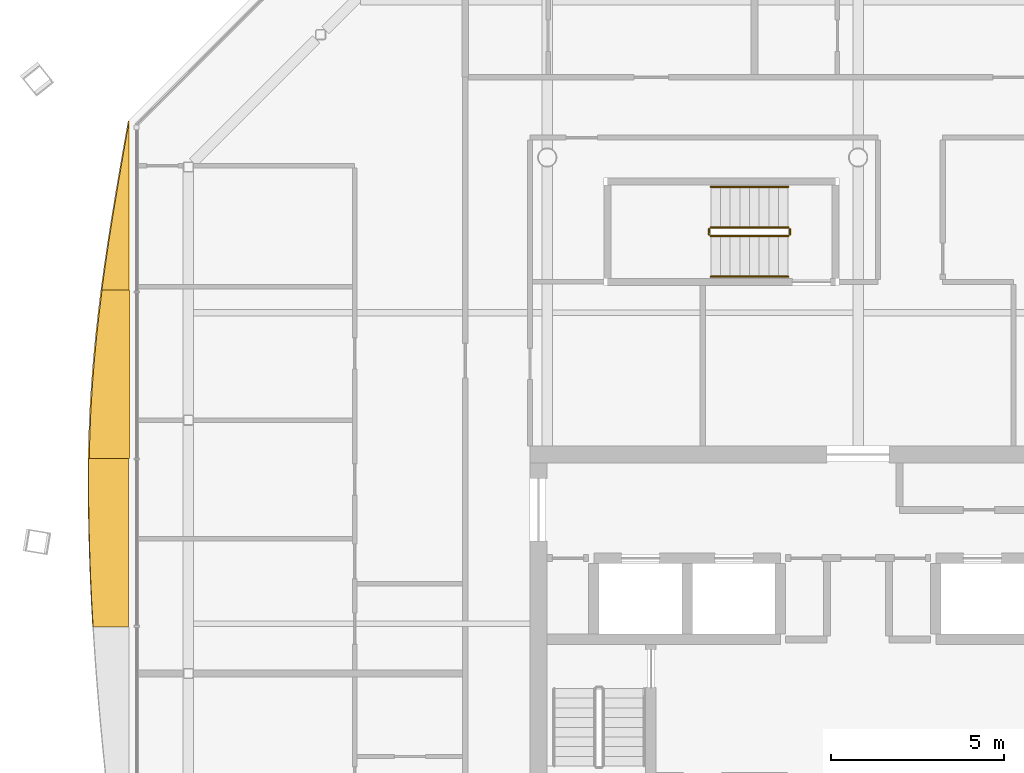
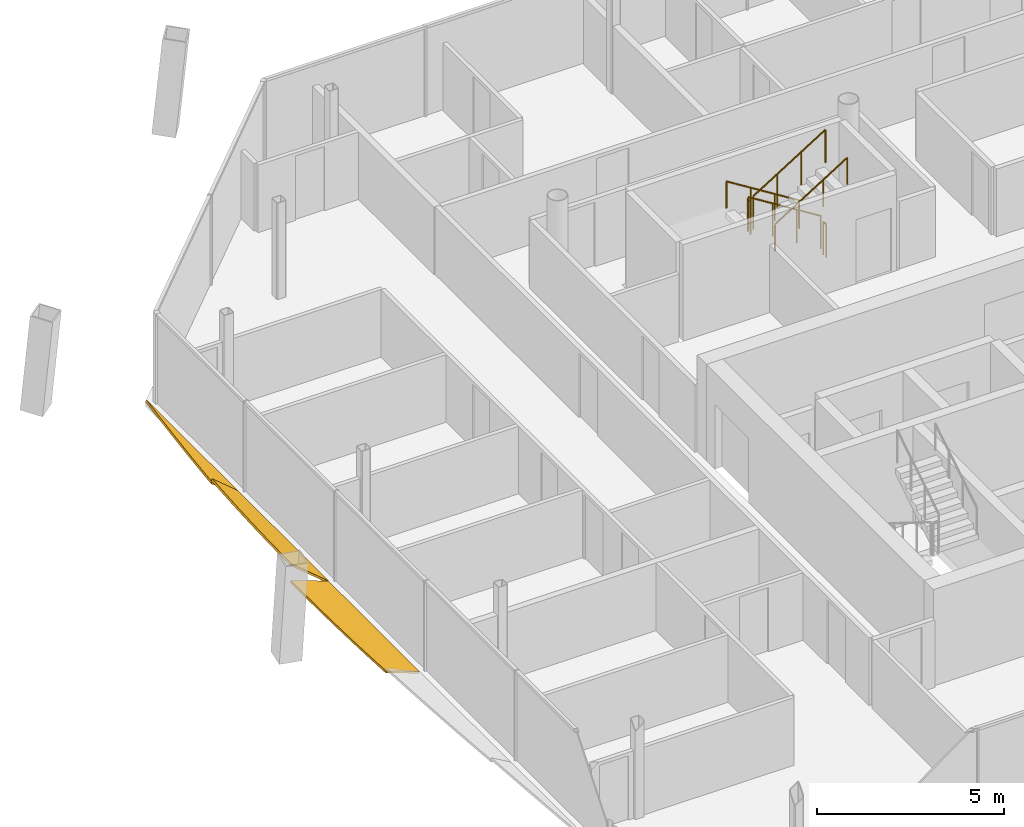
# One storey, part 14 of 15: 6 railings, 3 shading devices.
"""IFC4 building model written with IfcOpenShell, lengths in metres."""

from ifc_helpers import new_model, si_unit, direction, frame, origin, origin_2d, place, context, subcontext, project, spatial, polyline, circle, outline, extrude, material, layer, layer_set, type_object, element, save


model = new_model("IFC4")

# Units and contexts
model_context = context("Model", 3, precision=1e-05, world=origin(), true_north=direction((0.0, 1.0)))
body_context = subcontext(model_context, "Body", "Model", "MODEL_VIEW")
ifc_project = project(units=[si_unit("LENGTHUNIT", "METRE"), si_unit("AREAUNIT", "SQUARE_METRE"), si_unit("VOLUMEUNIT", "CUBIC_METRE"), si_unit("PLANEANGLEUNIT", "RADIAN"), si_unit("MASSUNIT", "GRAM", prefix="KILO")], contexts=[model_context])

# Site, building, storey
site_placement = place(None, origin())
site = spatial("IfcSite", under=ifc_project, at=site_placement, CompositionType="ELEMENT")
building_placement = place(site_placement, origin())
building = spatial("IfcBuilding", under=site, at=building_placement, Name="Tskaro Facet Tower", CompositionType="ELEMENT")
storey_placement = place(building_placement, frame((0.0, 0.0, 239.25)))
storey = spatial("IfcBuildingStorey", under=building, at=storey_placement, Name="L62", CompositionType="ELEMENT", Elevation=239.25)

# Shading devices
ifc_material_1 = material(Name="Bronze anodised aluminium 6063-T6", Category="aluminium")
ifc_layer = layer(ifc_material_1, 0.06005859375, Name="Bronze anodised aluminium 6063-T6")
ifc_layer_set = layer_set([ifc_layer], Name="Bronze anodised aluminium 6063-T6")
shading_device_type = type_object("IfcShadingDeviceType", Name="Bronze sun blade (FN1)", PredefinedType="USERDEFINED", material=ifc_layer_set)
shading_device_1_placement = place(storey_placement, frame((-21.1044921875, 10.052001953125, 0.049072265625), z_axis=(0.573587927627, -5.750204e-06, 0.819143997871), x_axis=(-3.298248e-06, -0.999999999983, -4.710245e-06)))
element("IfcShadingDevice", 1, at=shading_device_1_placement, inside=storey, type_object=shading_device_type, Name="Fin blade west 1", ObjectType="FIN", PredefinedType="USERDEFINED", context=body_context, shape_type="SweptSolid", body=[
    extrude(outline(polyline([(0.0, 0.0), (4.881835937419292, 0.0), (4.881835937575743, -0.9602774233229365), (4.184326171515095, -0.8443929185636418), (3.487060547105738, -0.7185479982297734), (2.789550781834564, -0.5849827833054644), (2.0922851559173847, -0.44471734111897665), (1.3947753906357023, -0.29923166186625216), (0.6975097651711523, -0.15056588020381548), (0.0, 0.0)])), origin(), (0.0, 0.0, -1.0), 0.06005859375),
])
shading_device_2_placement = place(storey_placement, frame((-21.100341796875, 5.170166015625, 0.0458984375), z_axis=(0.642819158538, 1.446481e-06, 0.766017969381), x_axis=(9.29826e-07, -0.999999999999, 1.10803e-06)))
element("IfcShadingDevice", 2, at=shading_device_2_placement, inside=storey, type_object=shading_device_type, Name="Fin blade west 2", ObjectType="FIN", PredefinedType="USERDEFINED", context=body_context, shape_type="SweptSolid", body=[
    extrude(outline(polyline([(0.0, 0.0), (4.881835937494893, 5.168844852690732e-22), (4.881835937542028, -1.5104128296894737), (4.1843261719349485, -1.488750253040387), (3.4870605468111187, -1.4501136005828363), (2.7895507812780678, -1.3953477193418165), (2.092285156358789, -1.3246396254231332), (1.394775390436278, -1.2390512597922665), (0.697265624990589, -1.1393973916395326), (5.2710519599643505e-11, -1.0269269780362171), (0.0, 0.0)])), origin(), (0.0, 0.0, -1.0), 0.06005859375),
])
shading_device_3_placement = place(storey_placement, frame((-21.118408203125, 0.288330078125, 0.056396484375), z_axis=(0.342007104844, -1.09675e-05, 0.939697366239), x_axis=(-3.750963e-06, -0.99999999994, -1.0306131e-05)))
element("IfcShadingDevice", 3, at=shading_device_3_placement, inside=storey, type_object=shading_device_type, Name="Fin blade west 3", ObjectType="FIN", PredefinedType="USERDEFINED", context=body_context, shape_type="SweptSolid", body=[
    extrude(outline(polyline([(0.0, 0.0), (4.881835937206391, 0.0), (4.881835937831738, -1.093769725770351), (4.184326171002729, -1.1348606915801138), (3.486816406441112, -1.1693812215485615), (2.7895507820245844, -1.1966430607687397), (2.0920410149027933, -1.2169591253713032), (1.394775390442236, -1.229933001397261), (0.6972656255614182, -1.2351058522419767), (0.5368652333456825, -1.235418768372631), (-5.523563515686595e-10, -1.231247088565524), (0.0, 0.0)])), origin(), (0.0, 0.0, -1.0), 0.06005859375),
])

# Railings
ifc_material_2 = material(Name="Stainless steel", Category="steel")
railing_type_1 = type_object("IfcRailingType", Name="RL-GUARD-1100", PredefinedType="GUARDRAIL", material=ifc_material_2)
railing_1_placement = place(storey_placement, frame((-2.02490234375, 6.97509765625, 0.175048828125)))
element("IfcRailing", 4, at=railing_1_placement, inside=storey, type_object=railing_type_1, Name="L62 ST-3 stair guard 1", PredefinedType="GUARDRAIL", context=body_context, shape_type="SweptSolid", body=[
    extrude(circle(Radius=0.02392578125, at=origin_2d()), frame((0.0, 0.0, 1.076171875), z_axis=(-0.848013881152, 0.0, 0.529974015752), x_axis=(0.0, -1.0, 0.0)), (0.0, 0.0, 1.0), 2.641357421875),
    extrude(circle(Radius=0.02099609375, at=origin_2d()), origin(), (0.0, 0.0, 1.0), 1.052001953125),
    extrude(circle(Radius=0.02099609375, at=origin_2d()), frame((-0.74658203125, 0.0, 0.466552734375)), (0.0, 0.0, 1.0), 1.052001953125),
    extrude(circle(Radius=0.02099609375, at=origin_2d()), frame((-1.493408203125, 0.0, 0.933349609375)), (0.0, 0.0, 1.0), 1.052001953125),
    extrude(circle(Radius=0.02099609375, at=origin_2d()), frame((-2.239990234375, 0.0, 1.39990234375)), (0.0, 0.0, 1.0), 1.052001953125),
])
railing_2_placement = place(storey_placement, frame((-4.31494140625, 6.925048828125, 1.574951171875)))
element("IfcRailing", 5, at=railing_2_placement, inside=storey, type_object=railing_type_1, Name="L62 ST-3 stair guard 2", PredefinedType="GUARDRAIL", context=body_context, shape_type="SweptSolid", body=[
    extrude(circle(Radius=0.02392578125, at=origin_2d()), frame((0.0, 0.0, 1.076171875), z_axis=(0.0, -1.0, 0.0), x_axis=(1.0, 0.0, 0.0)), (0.0, 0.0, 1.0), 0.150146484375),
    extrude(circle(Radius=0.02099609375, at=origin_2d()), origin(), (0.0, 0.0, 1.0), 1.052001953125),
    extrude(circle(Radius=0.02099609375, at=origin_2d()), frame((0.0, -0.150146484375, 0.0)), (0.0, 0.0, 1.0), 1.052001953125),
])
railing_3_placement = place(storey_placement, frame((-4.264892578125, 6.72509765625, 1.75)))
element("IfcRailing", 6, at=railing_3_placement, inside=storey, type_object=railing_type_1, Name="L62 ST-3 stair guard 3", PredefinedType="GUARDRAIL", context=body_context, shape_type="SweptSolid", body=[
    extrude(circle(Radius=0.02392578125, at=origin_2d()), frame((0.0, 0.0, 1.076171875), z_axis=(0.848013881152, 0.0, 0.529974015752), x_axis=(0.0, 1.0, 0.0)), (0.0, 0.0, 1.0), 2.641357421875),
    extrude(circle(Radius=0.02099609375, at=origin_2d()), origin(), (0.0, 0.0, 1.0), 1.052001953125),
    extrude(circle(Radius=0.02099609375, at=origin_2d()), frame((0.74658203125, 0.0, 0.466552734375)), (0.0, 0.0, 1.0), 1.052001953125),
    extrude(circle(Radius=0.02099609375, at=origin_2d()), frame((1.493408203125, 0.0, 0.933349609375)), (0.0, 0.0, 1.0), 1.052001953125),
    extrude(circle(Radius=0.02099609375, at=origin_2d()), frame((2.239990234375, 0.0, 1.39990234375)), (0.0, 0.0, 1.0), 1.052001953125),
])
railing_4_placement = place(storey_placement, frame((-1.97509765625, 6.925048828125, 0.0)))
element("IfcRailing", 7, at=railing_4_placement, inside=storey, type_object=railing_type_1, Name="L62 ST-3 stair guard 4", PredefinedType="GUARDRAIL", context=body_context, shape_type="SweptSolid", body=[
    extrude(circle(Radius=0.02392578125, at=origin_2d()), frame((0.0, 0.0, 1.076171875), z_axis=(0.0, -1.0, 0.0), x_axis=(1.0, 0.0, 0.0)), (0.0, 0.0, 1.0), 0.150146484375),
    extrude(circle(Radius=0.02099609375, at=origin_2d()), origin(), (0.0, 0.0, 1.0), 1.052001953125),
    extrude(circle(Radius=0.02099609375, at=origin_2d()), frame((0.0, -0.150146484375, 0.0)), (0.0, 0.0, 1.0), 1.052001953125),
])
railing_type_2 = type_object("IfcRailingType", Name="RL-HANDRAIL-900", PredefinedType="HANDRAIL", material=ifc_material_2)
railing_5_placement = place(storey_placement, frame((-2.02490234375, 8.14990234375, 0.175048828125)))
element("IfcRailing", 8, at=railing_5_placement, inside=storey, type_object=railing_type_2, Name="L62 ST-3 stair handrail 1", PredefinedType="HANDRAIL", context=body_context, shape_type="SweptSolid", body=[
    extrude(circle(Radius=0.02392578125, at=origin_2d()), frame((0.0, 0.0, 0.8759765625), z_axis=(-0.848013881152, 0.0, 0.529974015752), x_axis=(0.0, -1.0, 0.0)), (0.0, 0.0, 1.0), 2.641357421875),
    extrude(circle(Radius=0.02099609375, at=origin_2d()), origin(), (0.0, 0.0, 1.0), 0.851806640625),
    extrude(circle(Radius=0.02099609375, at=origin_2d()), frame((-0.74658203125, 0.0, 0.466552734375)), (0.0, 0.0, 1.0), 0.851806640625),
    extrude(circle(Radius=0.02099609375, at=origin_2d()), frame((-1.493408203125, 0.0, 0.933349609375)), (0.0, 0.0, 1.0), 0.851806640625),
    extrude(circle(Radius=0.02099609375, at=origin_2d()), frame((-2.239990234375, 0.0, 1.39990234375)), (0.0, 0.0, 1.0), 0.851806640625),
])
railing_6_placement = place(storey_placement, frame((-4.264892578125, 5.550048828125, 1.75)))
element("IfcRailing", 9, at=railing_6_placement, inside=storey, type_object=railing_type_2, Name="L62 ST-3 stair handrail 2", PredefinedType="HANDRAIL", context=body_context, shape_type="SweptSolid", body=[
    extrude(circle(Radius=0.02392578125, at=origin_2d()), frame((0.0, 0.0, 0.8759765625), z_axis=(0.848013881152, 0.0, 0.529974015752), x_axis=(0.0, 1.0, 0.0)), (0.0, 0.0, 1.0), 2.641357421875),
    extrude(circle(Radius=0.02099609375, at=origin_2d()), origin(), (0.0, 0.0, 1.0), 0.851806640625),
    extrude(circle(Radius=0.02099609375, at=origin_2d()), frame((0.74658203125, 0.0, 0.466552734375)), (0.0, 0.0, 1.0), 0.851806640625),
    extrude(circle(Radius=0.02099609375, at=origin_2d()), frame((1.493408203125, 0.0, 0.933349609375)), (0.0, 0.0, 1.0), 0.851806640625),
    extrude(circle(Radius=0.02099609375, at=origin_2d()), frame((2.239990234375, 0.0, 1.39990234375)), (0.0, 0.0, 1.0), 0.851806640625),
])

save(model, "model.ifc")
